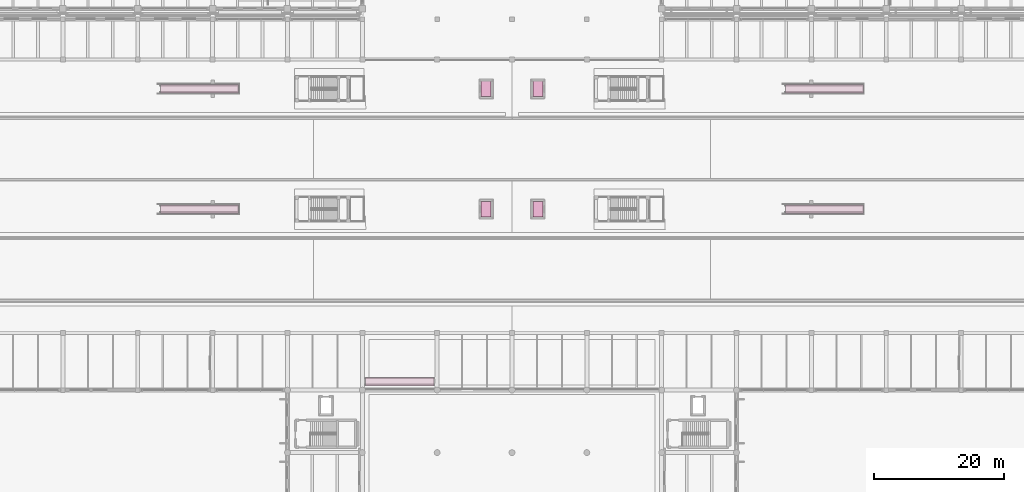
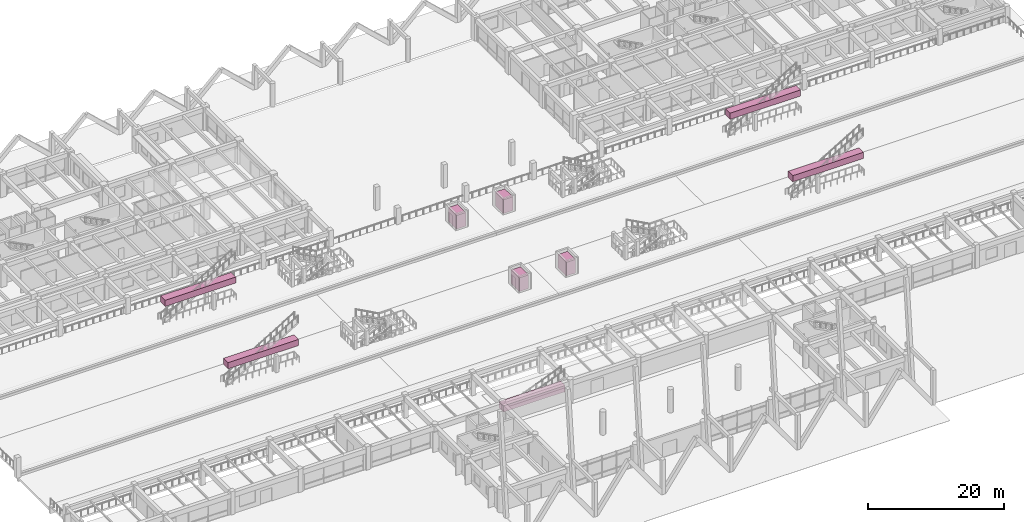
# One storey, part 109 of 109: 9 transport elements.
"""IFC4 building model written with IfcOpenShell, lengths in metres."""

import ifcopenshell
import ifcopenshell.guid

model = None  # the IFC model being written
_history = None  # IfcOwnerHistory: only IFC2X3 demands one
_inside = {}  # id of a spatial element -> (the spatial element, [elements in it])
_under = {}  # id of a project, library or spatial element -> (it, [spatial elements below it])
_declared = {}  # id of a project -> (the project, [libraries it declares])
_typed = {}  # id of a type object -> (the type object, [elements of that type])
_made_of = {}  # id of a material, layer set ... -> (it, [elements and type objects made of it])


def new_model(schema):
    """Start an empty IFC model of exactly this schema.

    Asked for "IFC4X3", IfcOpenShell would pick the latest addendum, in which some entities
    have other attributes; the version numbers below select the first issue.
    IFC2X3 requires an IfcOwnerHistory on every rooted entity: one is made here for all.
    """
    global model, _history
    if schema == "IFC4X3":
        model = ifcopenshell.file(schema_version=(4, 3, 0, 0))
    else:
        model = ifcopenshell.file(schema=schema)
    _inside.clear()
    _under.clear()
    _declared.clear()
    _typed.clear()
    _made_of.clear()
    _history = None
    if model.schema == "IFC2X3":
        org = make("IfcOrganization", Name="unknown")
        user = make(
            "IfcPersonAndOrganization",
            ThePerson=make("IfcPerson", FamilyName="unknown"),
            TheOrganization=org,
        )
        app = make(
            "IfcApplication",
            ApplicationDeveloper=org,
            Version="unknown",
            ApplicationFullName="unknown",
            ApplicationIdentifier="unknown",
        )
        _history = make(
            "IfcOwnerHistory",
            OwningUser=user,
            OwningApplication=app,
            ChangeAction="ADDED",
            CreationDate=0,
        )
    return model


def make(cls, **values):
    """One entity of the class cls with the attributes given. An attribute that is None is left unset."""
    return model.create_entity(
        cls, **{name: value for name, value in values.items() if value is not None}
    )


def rooted(cls, **values):
    """An entity with a GlobalId (a new one), such as an element, a storey or a relation."""
    return make(cls, GlobalId=ifcopenshell.guid.new(), OwnerHistory=_history, **values)


def si_unit(unit_type, name, prefix=None):
    """IfcSIUnit, for example si_unit("LENGTHUNIT", "METRE", prefix="MILLI")."""
    return make("IfcSIUnit", UnitType=unit_type, Prefix=prefix, Name=name)


def assignment(units):
    """IfcUnitAssignment: the units of a project."""
    return None if units is None else make("IfcUnitAssignment", Units=units)


def point(xyz):
    """IfcCartesianPoint."""
    return None if xyz is None else make("IfcCartesianPoint", Coordinates=xyz)


def direction(xyz):
    """IfcDirection."""
    return None if xyz is None else make("IfcDirection", DirectionRatios=xyz)


def frame(location, z_axis=None, x_axis=None):
    """IfcAxis2Placement3D, a coordinate frame: its origin and axes. An axis left out is left unset."""
    return make(
        "IfcAxis2Placement3D",
        Location=point(location),
        Axis=direction(z_axis),
        RefDirection=direction(x_axis),
    )


def frame_2d(location, x_axis=None):
    """IfcAxis2Placement2D, a coordinate frame in the plane: its origin and x axis."""
    return make(
        "IfcAxis2Placement2D", Location=point(location), RefDirection=direction(x_axis)
    )


def origin():
    """The frame at (0, 0, 0) with its axes left unset."""
    return frame((0.0, 0.0, 0.0))


def origin_2d():
    """The frame at (0, 0) in the plane with its x axis left unset."""
    return frame_2d((0.0, 0.0))


def place(relative_to, where):
    """IfcLocalPlacement: puts the frame where relative to a parent placement (None: the world)."""
    return make(
        "IfcLocalPlacement", PlacementRelTo=relative_to, RelativePlacement=where
    )


def context(
    kind, dimensions, precision=None, world=None, true_north=None, identifier=None
):
    """IfcGeometricRepresentationContext, for example the 3D "Model" context."""
    return make(
        "IfcGeometricRepresentationContext",
        ContextIdentifier=identifier,
        ContextType=kind,
        CoordinateSpaceDimension=dimensions,
        Precision=precision,
        WorldCoordinateSystem=world,
        TrueNorth=true_north,
    )


def subcontext(parent, identifier, kind, view, scale=None):
    """IfcGeometricRepresentationSubContext, for example "Body" below "Model"."""
    return make(
        "IfcGeometricRepresentationSubContext",
        ContextIdentifier=identifier,
        ContextType=kind,
        ParentContext=parent,
        TargetScale=scale,
        TargetView=view,
    )


def project(units=None, contexts=None):
    """IfcProject with its units and contexts."""
    return rooted(
        "IfcProject",
        Name="project",
        RepresentationContexts=contexts,
        UnitsInContext=assignment(units),
    )


def spatial(cls, under=None, at=None, **own):
    """A site, building, storey or space (cls), placed at a placement, below another one or the project."""
    s = rooted(cls, ObjectPlacement=at, **own)
    if under is not None:
        _under.setdefault(under.id(), (under, []))[1].append(s)
    return s


def profile(cls, at=None, kind="AREA", **sizes):
    """A parametric profile (cls). Its sizes go by their IFC names, for example OverallWidth=200.0."""
    return make(cls, ProfileType=kind, Position=at, **sizes)


def rectangle(**sizes):
    """IfcRectangleProfileDef."""
    return profile("IfcRectangleProfileDef", **sizes)


def extrude(swept, where, along, depth):
    """IfcExtrudedAreaSolid: the profile swept, set in the frame where, extruded along a direction by depth."""
    return make(
        "IfcExtrudedAreaSolid",
        SweptArea=swept,
        Position=where,
        ExtrudedDirection=direction(along),
        Depth=depth,
    )


def shape(context_of_items, identifier, shape_type, items):
    """IfcShapeRepresentation: the items that make up one representation, for example the "Body"."""
    return make(
        "IfcShapeRepresentation",
        ContextOfItems=context_of_items,
        RepresentationIdentifier=identifier,
        RepresentationType=shape_type,
        Items=items,
    )


def material(Name=None, Category=None):
    """IfcMaterial."""
    return make("IfcMaterial", Name=Name, Category=Category)


def made_of(thing, what):
    """Note that an element or type object is made of a material, layer set ...; save() writes the relation."""
    if what is not None:
        _made_of.setdefault(what.id(), (what, []))[1].append(thing)
    return thing


def type_object(cls, material=None, **own):
    """A type object (cls), such as IfcWallType, which elements share."""
    return made_of(rooted(cls, **own), material)


def element(
    cls,
    number,
    at=None,
    inside=None,
    cuts=None,
    type_object=None,
    material=None,
    context=None,
    identifier="Body",
    shape_type=None,
    held_by="IfcProductDefinitionShape",
    body=None,
    shapes=None,
    **own,
):
    """One element of the class cls, such as IfcWall. Its Tag is "e" and its number.

    at: its placement. inside: the storey or other place that contains it. cuts: it is an
    opening in that element (IfcRelVoidsElement). A single representation is given by context,
    identifier, shape_type and body (its items); several are given by shapes. held_by: the class
    of the entity that holds the representations. save() writes the other relations.
    """
    e = rooted(cls, Tag="e%d" % number, ObjectPlacement=at, **own)
    if body is not None:
        shapes = [shape(context, identifier, shape_type, body)]
    if shapes is not None:
        e.Representation = make(held_by, Representations=shapes)
    if inside is not None:
        _inside.setdefault(inside.id(), (inside, []))[1].append(e)
    if cuts is not None:
        rooted(
            "IfcRelVoidsElement", RelatingBuildingElement=cuts, RelatedOpeningElement=e
        )
    if type_object is not None:
        _typed.setdefault(type_object.id(), (type_object, []))[1].append(e)
    return made_of(e, material)


def aggregate(whole, parts):
    """IfcRelAggregates: a whole, such as a stair, and the parts it consists of."""
    return rooted("IfcRelAggregates", RelatingObject=whole, RelatedObjects=parts)


def save(model, path):
    """Write the relations noted so far, then the file.

    IfcRelAggregates (storeys below a building ...), IfcRelContainedInSpatialStructure (elements
    in a storey), IfcRelDefinesByType, IfcRelAssociatesMaterial and IfcRelDeclares: one each for
    every whole, place, type object, material and project.
    """
    for whole, parts in _under.values():
        aggregate(whole, parts)
    for where, things in _inside.values():
        rooted(
            "IfcRelContainedInSpatialStructure",
            RelatedElements=things,
            RelatingStructure=where,
        )
    for kind, things in _typed.values():
        rooted("IfcRelDefinesByType", RelatedObjects=things, RelatingType=kind)
    for what, things in _made_of.values():
        rooted("IfcRelAssociatesMaterial", RelatedObjects=things, RelatingMaterial=what)
    for by, libraries in _declared.values():
        rooted("IfcRelDeclares", RelatingContext=by, RelatedDefinitions=libraries)
    model.write(path)


model = new_model("IFC4")

# Units and contexts
model_context = context("Model", 3, precision=1e-05, world=origin(), true_north=direction((0.0, 1.0)))
body_context = subcontext(model_context, "Body", "Model", "MODEL_VIEW")
ifc_project = project(units=[si_unit("LENGTHUNIT", "METRE"), si_unit("AREAUNIT", "SQUARE_METRE"), si_unit("VOLUMEUNIT", "CUBIC_METRE"), si_unit("PLANEANGLEUNIT", "RADIAN"), si_unit("MASSUNIT", "GRAM", prefix="KILO")], contexts=[model_context])

# Site, building, storey
site_placement = place(None, origin())
site = spatial("IfcSite", under=ifc_project, at=site_placement, CompositionType="ELEMENT")
building_placement = place(site_placement, origin())
building = spatial("IfcBuilding", under=site, at=building_placement, Name="Ologun Quay Terminus", CompositionType="ELEMENT")
storey_placement = place(building_placement, origin())
storey = spatial("IfcBuildingStorey", under=building, at=storey_placement, Name="L00", CompositionType="ELEMENT", Elevation=0.0)

# Transport elements
ifc_material_1 = material(Name="Steel S355", Category="steel")
transport_element_type_1 = type_object("IfcTransportElementType", Name="Heavy-Duty Transit Escalator 1000", PredefinedType="ESCALATOR", material=ifc_material_1)
for number, where, z_axis, x_axis, name in (
    (1, (44.0, 55.0, 4.27490234375), (0.0, 0.0, 1.0), (1.0, 0.0, 0.0), "Transit Escalator ESC-01"),
    (2, (140.0, 55.0, 4.27490234375), (0.0, 0.0, 1.0), (1.0, 0.0, 0.0), "Transit Escalator ESC-02"),
    (3, (44.0, 73.5, 4.27490234375), (0.0, 0.0, 1.0), (1.0, 0.0, 0.0), "Transit Escalator ESC-03"),
    (4, (140.0, 73.5, 4.27490234375), (0.0, 0.0, 1.0), (1.0, 0.0, 0.0), "Transit Escalator ESC-04"),
):
    element("IfcTransportElement", number, at=place(storey_placement, frame(where, z_axis=z_axis, x_axis=x_axis)), inside=storey, type_object=transport_element_type_1, Name=name, PredefinedType="ESCALATOR", context=body_context, shape_type="SweptSolid", body=[
        extrude(rectangle(XDim=12.0, YDim=1.35009765625, at=origin_2d()), origin(), (0.0, 0.0, 1.0), 1.10009765625),
    ])
transport_element_placement = place(storey_placement, frame((74.75, 28.5, 1.550048828125), z_axis=(0.0, 0.0, 1.0), x_axis=(1.0, 0.0, 0.0)))
element("IfcTransportElement", 5, at=transport_element_placement, inside=storey, type_object=transport_element_type_1, Name="Transit Escalator ESC-05", PredefinedType="ESCALATOR", context=body_context, shape_type="SweptSolid", body=[
    extrude(rectangle(XDim=10.5, YDim=1.35009765625, at=origin_2d()), origin(), (0.0, 0.0, 1.0), 1.10009765625),
])
ifc_material_2 = material(Name="Steel S355", Category="steel")
transport_element_type_2 = type_object("IfcTransportElementType", Name="Platform Accessible Lift 1600kg", PredefinedType="ELEVATOR", material=ifc_material_2)
for number, where, z_axis, x_axis, name in (
    (6, (88.0, 55.0, 1.25), (0.0, 0.0, 1.0), (1.0, 0.0, 0.0), "Platform Passenger Lift PL-P1"),
    (7, (96.0, 55.0, 1.25), (0.0, 0.0, 1.0), (1.0, 0.0, 0.0), "Platform Passenger Lift PL-P2"),
    (8, (88.0, 73.5, 1.25), (0.0, 0.0, 1.0), (1.0, 0.0, 0.0), "Platform Passenger Lift PL-P3"),
    (9, (96.0, 73.5, 1.25), (0.0, 0.0, 1.0), (1.0, 0.0, 0.0), "Platform Passenger Lift PL-P4"),
):
    element("IfcTransportElement", number, at=place(storey_placement, frame(where, z_axis=z_axis, x_axis=x_axis)), inside=storey, type_object=transport_element_type_2, Name=name, PredefinedType="ELEVATOR", context=body_context, shape_type="SweptSolid", body=[
        extrude(rectangle(XDim=1.60009765625, YDim=2.39990234375, at=origin_2d()), origin(), (0.0, 0.0, 1.0), 2.449951171875),
    ])

save(model, "model.ifc")
